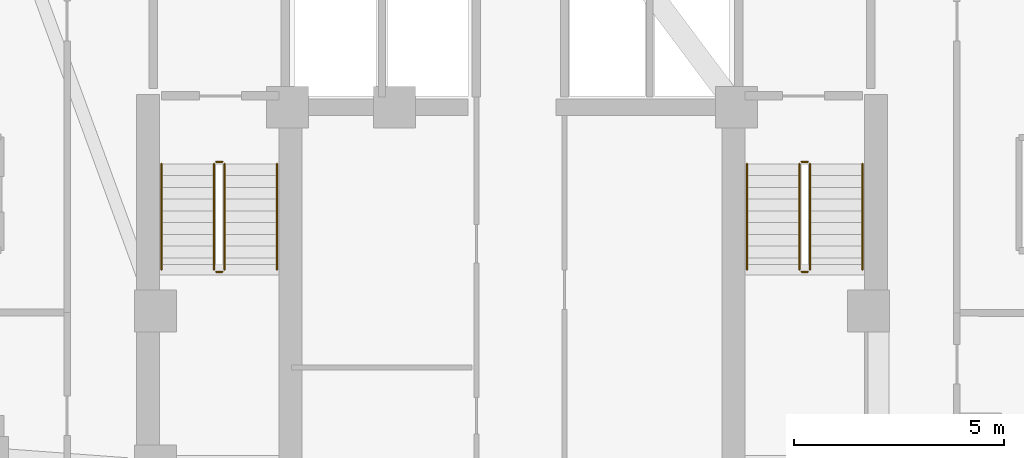
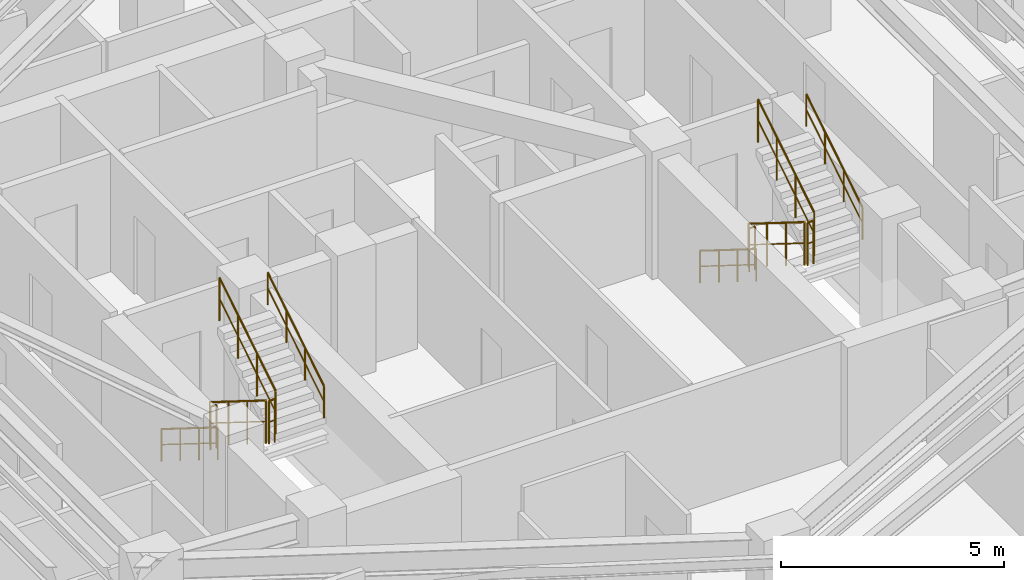
# One storey, part 10 of 10: 12 railings.
"""IFC4 building model written with IfcOpenShell, lengths in metres."""

from ifc_helpers import new_model, si_unit, direction, frame, origin, origin_2d, place, context, subcontext, project, spatial, circle, extrude, material, type_object, element, save


model = new_model("IFC4")

# Units and contexts
model_context = context("Model", 3, precision=1e-05, world=origin(), true_north=direction((0.0, 1.0)))
body_context = subcontext(model_context, "Body", "Model", "MODEL_VIEW")
ifc_project = project(units=[si_unit("LENGTHUNIT", "METRE"), si_unit("AREAUNIT", "SQUARE_METRE"), si_unit("VOLUMEUNIT", "CUBIC_METRE"), si_unit("PLANEANGLEUNIT", "RADIAN"), si_unit("MASSUNIT", "GRAM", prefix="KILO")], contexts=[model_context])

# Site, building, storey
site_placement = place(None, origin())
site = spatial("IfcSite", under=ifc_project, at=site_placement, CompositionType="ELEMENT")
building_placement = place(site_placement, origin())
building = spatial("IfcBuilding", under=site, at=building_placement, Name="Miruveldt Soraemaru", CompositionType="ELEMENT")
storey_placement = place(building_placement, frame((0.0, 0.0, 173.89990234375)))
storey = spatial("IfcBuildingStorey", under=building, at=storey_placement, Name="L48", CompositionType="ELEMENT", Elevation=173.89990234375)

# Railings
ifc_material = material(Name="Steel S355 (355 MPa)", Category="steel")
railing_type_1 = type_object("IfcRailingType", Name="RAIL-HR-900", PredefinedType="HANDRAIL", material=ifc_material)
railing_1_placement = place(storey_placement, frame((35.64990234375, 42.699951171875, 0.175048828125)))
element("IfcRailing", 1, at=railing_1_placement, inside=storey, type_object=railing_type_1, Name="L48 ST-1 stair handrail 1", PredefinedType="HANDRAIL", context=body_context, shape_type="SweptSolid", body=[
    extrude(circle(Radius=0.02392578125, at=origin_2d()), frame((0.0, 0.0, 0.8759765625), z_axis=(0.0, -0.848007534815, 0.529984170421), x_axis=(1.0, 0.0, 0.0)), (0.0, 0.0, 1.0), 2.9716796875),
    extrude(circle(Radius=0.01611328125, at=origin_2d()), frame((0.0, 0.0, 0.449951171875), z_axis=(0.0, -0.848007534815, 0.529984170421), x_axis=(1.0, 0.0, 0.0)), (0.0, 0.0, 1.0), 2.9716796875),
    extrude(circle(Radius=0.02099609375, at=origin_2d()), origin(), (0.0, 0.0, 1.0), 0.851806640625),
    extrude(circle(Radius=0.02099609375, at=origin_2d()), frame((0.0, -0.840087890625, 0.52490234375)), (0.0, 0.0, 1.0), 0.851806640625),
    extrude(circle(Radius=0.02099609375, at=origin_2d()), frame((0.0, -1.679931640625, 1.050048828125)), (0.0, 0.0, 1.0), 0.851806640625),
    extrude(circle(Radius=0.02099609375, at=origin_2d()), frame((0.0, -2.52001953125, 1.574951171875)), (0.0, 0.0, 1.0), 0.851806640625),
])
railing_2_placement = place(storey_placement, frame((38.39990234375, 40.179931640625, 1.925048828125)))
element("IfcRailing", 2, at=railing_2_placement, inside=storey, type_object=railing_type_1, Name="L48 ST-1 stair handrail 2", PredefinedType="HANDRAIL", context=body_context, shape_type="SweptSolid", body=[
    extrude(circle(Radius=0.02392578125, at=origin_2d()), frame((0.0, 0.0, 0.8759765625), z_axis=(0.0, 0.848007534815, 0.529984170421), x_axis=(-1.0, 0.0, 0.0)), (0.0, 0.0, 1.0), 2.9716796875),
    extrude(circle(Radius=0.01611328125, at=origin_2d()), frame((0.0, 0.0, 0.449951171875), z_axis=(0.0, 0.848007534815, 0.529984170421), x_axis=(-1.0, 0.0, 0.0)), (0.0, 0.0, 1.0), 2.9716796875),
    extrude(circle(Radius=0.02099609375, at=origin_2d()), origin(), (0.0, 0.0, 1.0), 0.851806640625),
    extrude(circle(Radius=0.02099609375, at=origin_2d()), frame((0.0, 0.840087890625, 0.52490234375)), (0.0, 0.0, 1.0), 0.851806640625),
    extrude(circle(Radius=0.02099609375, at=origin_2d()), frame((0.0, 1.679931640625, 1.050048828125)), (0.0, 0.0, 1.0), 0.851806640625),
    extrude(circle(Radius=0.02099609375, at=origin_2d()), frame((0.0, 2.52001953125, 1.574951171875)), (0.0, 0.0, 1.0), 0.851806640625),
])
railing_3_placement = place(storey_placement, frame((49.60009765625, 42.699951171875, 0.175048828125)))
element("IfcRailing", 3, at=railing_3_placement, inside=storey, type_object=railing_type_1, Name="L48 ST-2 stair handrail 1", PredefinedType="HANDRAIL", context=body_context, shape_type="SweptSolid", body=[
    extrude(circle(Radius=0.02392578125, at=origin_2d()), frame((0.0, 0.0, 0.8759765625), z_axis=(0.0, -0.848007534815, 0.529984170421), x_axis=(1.0, 0.0, 0.0)), (0.0, 0.0, 1.0), 2.9716796875),
    extrude(circle(Radius=0.01611328125, at=origin_2d()), frame((0.0, 0.0, 0.449951171875), z_axis=(0.0, -0.848007534815, 0.529984170421), x_axis=(1.0, 0.0, 0.0)), (0.0, 0.0, 1.0), 2.9716796875),
    extrude(circle(Radius=0.02099609375, at=origin_2d()), origin(), (0.0, 0.0, 1.0), 0.851806640625),
    extrude(circle(Radius=0.02099609375, at=origin_2d()), frame((0.0, -0.840087890625, 0.52490234375)), (0.0, 0.0, 1.0), 0.851806640625),
    extrude(circle(Radius=0.02099609375, at=origin_2d()), frame((0.0, -1.679931640625, 1.050048828125)), (0.0, 0.0, 1.0), 0.851806640625),
    extrude(circle(Radius=0.02099609375, at=origin_2d()), frame((0.0, -2.52001953125, 1.574951171875)), (0.0, 0.0, 1.0), 0.851806640625),
])
railing_4_placement = place(storey_placement, frame((52.35009765625, 40.179931640625, 1.925048828125)))
element("IfcRailing", 4, at=railing_4_placement, inside=storey, type_object=railing_type_1, Name="L48 ST-2 stair handrail 2", PredefinedType="HANDRAIL", context=body_context, shape_type="SweptSolid", body=[
    extrude(circle(Radius=0.02392578125, at=origin_2d()), frame((0.0, 0.0, 0.8759765625), z_axis=(0.0, 0.848007534815, 0.529984170421), x_axis=(-1.0, 0.0, 0.0)), (0.0, 0.0, 1.0), 2.9716796875),
    extrude(circle(Radius=0.01611328125, at=origin_2d()), frame((0.0, 0.0, 0.449951171875), z_axis=(0.0, 0.848007534815, 0.529984170421), x_axis=(-1.0, 0.0, 0.0)), (0.0, 0.0, 1.0), 2.9716796875),
    extrude(circle(Radius=0.02099609375, at=origin_2d()), origin(), (0.0, 0.0, 1.0), 0.851806640625),
    extrude(circle(Radius=0.02099609375, at=origin_2d()), frame((0.0, 0.840087890625, 0.52490234375)), (0.0, 0.0, 1.0), 0.851806640625),
    extrude(circle(Radius=0.02099609375, at=origin_2d()), frame((0.0, 1.679931640625, 1.050048828125)), (0.0, 0.0, 1.0), 0.851806640625),
    extrude(circle(Radius=0.02099609375, at=origin_2d()), frame((0.0, 2.52001953125, 1.574951171875)), (0.0, 0.0, 1.0), 0.851806640625),
])
railing_type_2 = type_object("IfcRailingType", Name="RAIL-STGUARD-1200", PredefinedType="GUARDRAIL", material=ifc_material)
railing_5_placement = place(storey_placement, frame((36.89990234375, 42.699951171875, 0.175048828125)))
element("IfcRailing", 5, at=railing_5_placement, inside=storey, type_object=railing_type_2, Name="L48 ST-1 stair guard 1", PredefinedType="GUARDRAIL", context=body_context, shape_type="SweptSolid", body=[
    extrude(circle(Radius=0.02392578125, at=origin_2d()), frame((0.0, 0.0, 1.17578125), z_axis=(0.0, -0.848007534815, 0.529984170421), x_axis=(1.0, 0.0, 0.0)), (0.0, 0.0, 1.0), 2.9716796875),
    extrude(circle(Radius=0.01611328125, at=origin_2d()), frame((0.0, 0.0, 0.60009765625), z_axis=(0.0, -0.848007534815, 0.529984170421), x_axis=(1.0, 0.0, 0.0)), (0.0, 0.0, 1.0), 2.9716796875),
    extrude(circle(Radius=0.02099609375, at=origin_2d()), origin(), (0.0, 0.0, 1.0), 1.15185546875),
    extrude(circle(Radius=0.02099609375, at=origin_2d()), frame((0.0, -0.840087890625, 0.52490234375)), (0.0, 0.0, 1.0), 1.15185546875),
    extrude(circle(Radius=0.02099609375, at=origin_2d()), frame((0.0, -1.679931640625, 1.050048828125)), (0.0, 0.0, 1.0), 1.15185546875),
    extrude(circle(Radius=0.02099609375, at=origin_2d()), frame((0.0, -2.52001953125, 1.574951171875)), (0.0, 0.0, 1.0), 1.15185546875),
])
railing_6_placement = place(storey_placement, frame((36.949951171875, 40.1298828125, 1.75)))
element("IfcRailing", 6, at=railing_6_placement, inside=storey, type_object=railing_type_2, Name="L48 ST-1 stair guard 2", PredefinedType="GUARDRAIL", context=body_context, shape_type="SweptSolid", body=[
    extrude(circle(Radius=0.02392578125, at=origin_2d()), frame((0.0, 0.0, 1.17578125), z_axis=(1.0, 0.0, 0.0), x_axis=(0.0, 1.0, 0.0)), (0.0, 0.0, 1.0), 0.150146484375),
    extrude(circle(Radius=0.01611328125, at=origin_2d()), frame((0.0, 0.0, 0.60009765625), z_axis=(1.0, 0.0, 0.0), x_axis=(0.0, 1.0, 0.0)), (0.0, 0.0, 1.0), 0.150146484375),
    extrude(circle(Radius=0.02099609375, at=origin_2d()), origin(), (0.0, 0.0, 1.0), 1.15185546875),
    extrude(circle(Radius=0.02099609375, at=origin_2d()), frame((0.150146484375, 0.0, 0.0)), (0.0, 0.0, 1.0), 1.15185546875),
])
railing_7_placement = place(storey_placement, frame((37.14990234375, 40.179931640625, 1.925048828125)))
element("IfcRailing", 7, at=railing_7_placement, inside=storey, type_object=railing_type_2, Name="L48 ST-1 stair guard 3", PredefinedType="GUARDRAIL", context=body_context, shape_type="SweptSolid", body=[
    extrude(circle(Radius=0.02392578125, at=origin_2d()), frame((0.0, 0.0, 1.17578125), z_axis=(0.0, 0.848007534815, 0.529984170421), x_axis=(-1.0, 0.0, 0.0)), (0.0, 0.0, 1.0), 2.9716796875),
    extrude(circle(Radius=0.01611328125, at=origin_2d()), frame((0.0, 0.0, 0.60009765625), z_axis=(0.0, 0.848007534815, 0.529984170421), x_axis=(-1.0, 0.0, 0.0)), (0.0, 0.0, 1.0), 2.9716796875),
    extrude(circle(Radius=0.02099609375, at=origin_2d()), origin(), (0.0, 0.0, 1.0), 1.15185546875),
    extrude(circle(Radius=0.02099609375, at=origin_2d()), frame((0.0, 0.840087890625, 0.52490234375)), (0.0, 0.0, 1.0), 1.15185546875),
    extrude(circle(Radius=0.02099609375, at=origin_2d()), frame((0.0, 1.679931640625, 1.050048828125)), (0.0, 0.0, 1.0), 1.15185546875),
    extrude(circle(Radius=0.02099609375, at=origin_2d()), frame((0.0, 2.52001953125, 1.574951171875)), (0.0, 0.0, 1.0), 1.15185546875),
])
railing_8_placement = place(storey_placement, frame((36.949951171875, 42.75, 0.0)))
element("IfcRailing", 8, at=railing_8_placement, inside=storey, type_object=railing_type_2, Name="L48 ST-1 stair guard 4", PredefinedType="GUARDRAIL", context=body_context, shape_type="SweptSolid", body=[
    extrude(circle(Radius=0.02392578125, at=origin_2d()), frame((0.0, 0.0, 1.17578125), z_axis=(1.0, 0.0, 0.0), x_axis=(0.0, 1.0, 0.0)), (0.0, 0.0, 1.0), 0.150146484375),
    extrude(circle(Radius=0.01611328125, at=origin_2d()), frame((0.0, 0.0, 0.60009765625), z_axis=(1.0, 0.0, 0.0), x_axis=(0.0, 1.0, 0.0)), (0.0, 0.0, 1.0), 0.150146484375),
    extrude(circle(Radius=0.02099609375, at=origin_2d()), origin(), (0.0, 0.0, 1.0), 1.15185546875),
    extrude(circle(Radius=0.02099609375, at=origin_2d()), frame((0.150146484375, 0.0, 0.0)), (0.0, 0.0, 1.0), 1.15185546875),
])
railing_9_placement = place(storey_placement, frame((50.85009765625, 42.699951171875, 0.175048828125)))
element("IfcRailing", 9, at=railing_9_placement, inside=storey, type_object=railing_type_2, Name="L48 ST-2 stair guard 1", PredefinedType="GUARDRAIL", context=body_context, shape_type="SweptSolid", body=[
    extrude(circle(Radius=0.02392578125, at=origin_2d()), frame((0.0, 0.0, 1.17578125), z_axis=(0.0, -0.848007534815, 0.529984170421), x_axis=(1.0, 0.0, 0.0)), (0.0, 0.0, 1.0), 2.9716796875),
    extrude(circle(Radius=0.01611328125, at=origin_2d()), frame((0.0, 0.0, 0.60009765625), z_axis=(0.0, -0.848007534815, 0.529984170421), x_axis=(1.0, 0.0, 0.0)), (0.0, 0.0, 1.0), 2.9716796875),
    extrude(circle(Radius=0.02099609375, at=origin_2d()), origin(), (0.0, 0.0, 1.0), 1.15185546875),
    extrude(circle(Radius=0.02099609375, at=origin_2d()), frame((0.0, -0.840087890625, 0.52490234375)), (0.0, 0.0, 1.0), 1.15185546875),
    extrude(circle(Radius=0.02099609375, at=origin_2d()), frame((0.0, -1.679931640625, 1.050048828125)), (0.0, 0.0, 1.0), 1.15185546875),
    extrude(circle(Radius=0.02099609375, at=origin_2d()), frame((0.0, -2.52001953125, 1.574951171875)), (0.0, 0.0, 1.0), 1.15185546875),
])
railing_10_placement = place(storey_placement, frame((50.89990234375, 40.1298828125, 1.75)))
element("IfcRailing", 10, at=railing_10_placement, inside=storey, type_object=railing_type_2, Name="L48 ST-2 stair guard 2", PredefinedType="GUARDRAIL", context=body_context, shape_type="SweptSolid", body=[
    extrude(circle(Radius=0.02392578125, at=origin_2d()), frame((0.0, 0.0, 1.17578125), z_axis=(1.0, 0.0, 0.0), x_axis=(0.0, 1.0, 0.0)), (0.0, 0.0, 1.0), 0.150146484375),
    extrude(circle(Radius=0.01611328125, at=origin_2d()), frame((0.0, 0.0, 0.60009765625), z_axis=(1.0, 0.0, 0.0), x_axis=(0.0, 1.0, 0.0)), (0.0, 0.0, 1.0), 0.150146484375),
    extrude(circle(Radius=0.02099609375, at=origin_2d()), origin(), (0.0, 0.0, 1.0), 1.15185546875),
    extrude(circle(Radius=0.02099609375, at=origin_2d()), frame((0.150146484375, 0.0, 0.0)), (0.0, 0.0, 1.0), 1.15185546875),
])
railing_11_placement = place(storey_placement, frame((51.10009765625, 40.179931640625, 1.925048828125)))
element("IfcRailing", 11, at=railing_11_placement, inside=storey, type_object=railing_type_2, Name="L48 ST-2 stair guard 3", PredefinedType="GUARDRAIL", context=body_context, shape_type="SweptSolid", body=[
    extrude(circle(Radius=0.02392578125, at=origin_2d()), frame((0.0, 0.0, 1.17578125), z_axis=(0.0, 0.848007534815, 0.529984170421), x_axis=(-1.0, 0.0, 0.0)), (0.0, 0.0, 1.0), 2.9716796875),
    extrude(circle(Radius=0.01611328125, at=origin_2d()), frame((0.0, 0.0, 0.60009765625), z_axis=(0.0, 0.848007534815, 0.529984170421), x_axis=(-1.0, 0.0, 0.0)), (0.0, 0.0, 1.0), 2.9716796875),
    extrude(circle(Radius=0.02099609375, at=origin_2d()), origin(), (0.0, 0.0, 1.0), 1.15185546875),
    extrude(circle(Radius=0.02099609375, at=origin_2d()), frame((0.0, 0.840087890625, 0.52490234375)), (0.0, 0.0, 1.0), 1.15185546875),
    extrude(circle(Radius=0.02099609375, at=origin_2d()), frame((0.0, 1.679931640625, 1.050048828125)), (0.0, 0.0, 1.0), 1.15185546875),
    extrude(circle(Radius=0.02099609375, at=origin_2d()), frame((0.0, 2.52001953125, 1.574951171875)), (0.0, 0.0, 1.0), 1.15185546875),
])
railing_12_placement = place(storey_placement, frame((50.89990234375, 42.75, 0.0)))
element("IfcRailing", 12, at=railing_12_placement, inside=storey, type_object=railing_type_2, Name="L48 ST-2 stair guard 4", PredefinedType="GUARDRAIL", context=body_context, shape_type="SweptSolid", body=[
    extrude(circle(Radius=0.02392578125, at=origin_2d()), frame((0.0, 0.0, 1.17578125), z_axis=(1.0, 0.0, 0.0), x_axis=(0.0, 1.0, 0.0)), (0.0, 0.0, 1.0), 0.150146484375),
    extrude(circle(Radius=0.01611328125, at=origin_2d()), frame((0.0, 0.0, 0.60009765625), z_axis=(1.0, 0.0, 0.0), x_axis=(0.0, 1.0, 0.0)), (0.0, 0.0, 1.0), 0.150146484375),
    extrude(circle(Radius=0.02099609375, at=origin_2d()), origin(), (0.0, 0.0, 1.0), 1.15185546875),
    extrude(circle(Radius=0.02099609375, at=origin_2d()), frame((0.150146484375, 0.0, 0.0)), (0.0, 0.0, 1.0), 1.15185546875),
])

save(model, "model.ifc")
